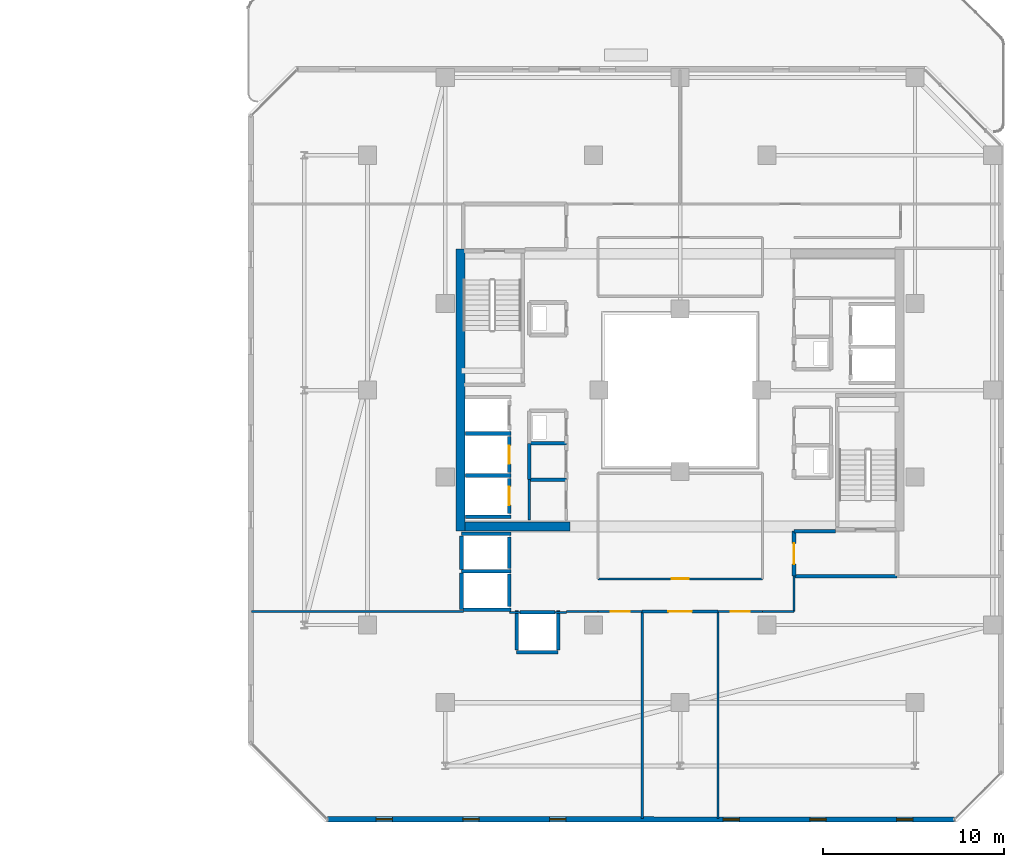
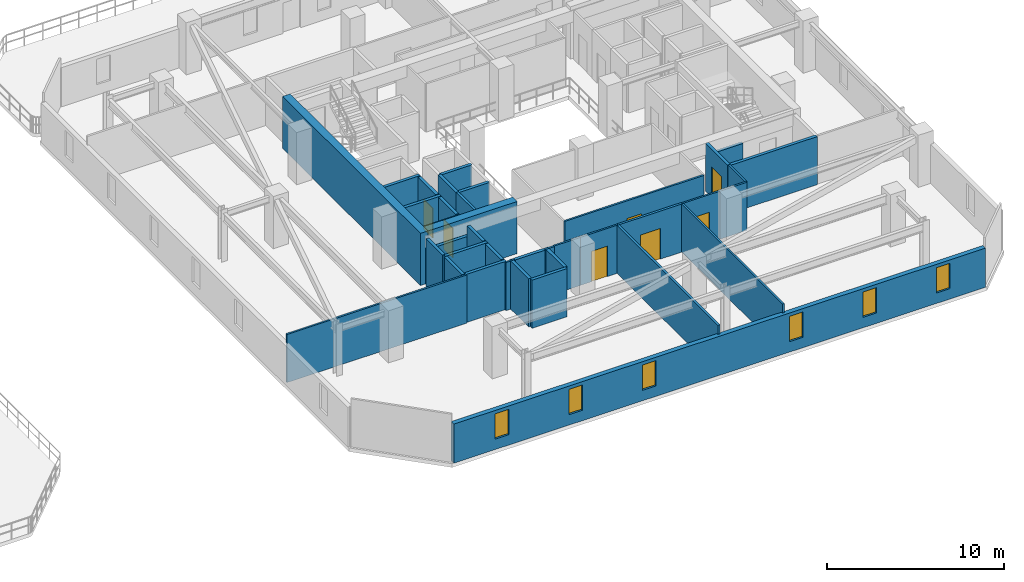
# One storey, part 24 of 32: 38 walls, 7 doors, 6 windows, 13 openings.
"""IFC4 building model written with IfcOpenShell, lengths in metres."""

from ifc_helpers import new_model, si_unit, direction, frame, frame_2d, origin, place, context, subcontext, project, spatial, rectangle, extrude, material, layer, layer_set, type_object, element, fill, save


model = new_model("IFC4")

# Units and contexts
model_context = context("Model", 3, precision=1e-05, world=origin(), true_north=direction((0.0, 1.0)))
body_context = subcontext(model_context, "Body", "Model", "MODEL_VIEW")
ifc_project = project(units=[si_unit("LENGTHUNIT", "METRE"), si_unit("AREAUNIT", "SQUARE_METRE"), si_unit("VOLUMEUNIT", "CUBIC_METRE"), si_unit("PLANEANGLEUNIT", "RADIAN"), si_unit("MASSUNIT", "GRAM", prefix="KILO")], contexts=[model_context])

# Site, building, storey
site_placement = place(None, origin())
site = spatial("IfcSite", under=ifc_project, at=site_placement, CompositionType="ELEMENT")
building_placement = place(site_placement, origin())
building = spatial("IfcBuilding", under=site, at=building_placement, Name="Thornwick Lancets Civic Towers", CompositionType="ELEMENT")
storey_placement = place(building_placement, frame((0.0, 0.0, 200.10009765625)))
storey = spatial("IfcBuildingStorey", under=building, at=storey_placement, Name="L53", CompositionType="ELEMENT", Elevation=200.10009765625)

# Wall, opening, door
ifc_material_1 = material(Name="Concrete blockwork C40/50", Category="masonry")
ifc_layer_1 = layer(ifc_material_1, 0.199951171875, Name="Concrete blockwork C40/50")
ifc_layer_set_1 = layer_set([ifc_layer_1], Name="Concrete blockwork C40/50")
wall_type_1 = type_object("IfcWallType", Name="WALL_COMP_200", PredefinedType="STANDARD", material=ifc_layer_set_1)
wall_1_placement = place(storey_placement, frame((79.050048828125, 22.429931640625, 0.0), z_axis=(0.0, 0.0, 1.0), x_axis=(0.0, 1.0, 0.0)))
wall_1 = element("IfcWall", 1, at=wall_1_placement, inside=storey, type_object=wall_type_1, Name="L53 Hoistway Front Wall PL-BH2", PredefinedType="STANDARD", context=body_context, shape_type="SweptSolid", body=[
    extrude(rectangle(XDim=1.989990234375, YDim=0.199951171875, at=frame_2d((0.9951171875, 0.0))), origin(), (0.0, 0.0, 1.0), 3.31982421875),
])
opening_1_placement = place(wall_1_placement, frame((0.485107421875, 0.0, 0.0)))
opening_1 = element("IfcOpeningElement", 2, at=opening_1_placement, cuts=wall_1, Name="Opening LD-PL-BH2", PredefinedType="OPENING", context=body_context, shape_type="SweptSolid", body=[
    extrude(rectangle(XDim=1.02001953125, YDim=2.06005859375, at=frame_2d((0.510009765625, 1.030029296875))), frame((0.0, 0.10986328125, 0.0), z_axis=(0.0, -1.0, 0.0), x_axis=(1.0, 0.0, 0.0)), (0.0, 0.0, 1.0), 0.219970703125),
])
ifc_material_2 = material(Name="Brushed bronze stainless steel", Category="steel")
door_type_1 = type_object("IfcDoorType", Name="DOOR_LIFT_SLIDE", OperationType="SLIDING_TO_LEFT", PredefinedType="DOOR", material=ifc_material_2)
door_1_placement = place(opening_1_placement, origin())
door_1 = element("IfcDoor", 3, at=door_1_placement, inside=storey, type_object=door_type_1, Name="L53 Sliding Lift Landing Door LD-PL-BH2", OperationType="SLIDING_TO_LEFT", OverallHeight=2.06005859375, OverallWidth=1.02001953125, PredefinedType="DOOR", context=body_context, shape_type="SweptSolid", body=[
    extrude(rectangle(XDim=1.02001953125, YDim=2.06005859375, at=frame_2d((0.510009765625, 1.030029296875))), frame((0.0, 0.02490234375, 0.0), z_axis=(0.0, -1.0, 0.0), x_axis=(1.0, 0.0, 0.0)), (0.0, 0.0, 1.0), 0.050048828125),
])
fill(opening_1, door_1)

wall_2_placement = place(storey_placement, frame((79.050048828125, 20.179931640625, 0.0), z_axis=(0.0, 0.0, 1.0), x_axis=(0.0, 1.0, 0.0)))
wall_2 = element("IfcWall", 4, at=wall_2_placement, inside=storey, type_object=wall_type_1, Name="L53 Hoistway Front Wall PL-BH3", PredefinedType="STANDARD", context=body_context, shape_type="SweptSolid", body=[
    extrude(rectangle(XDim=1.940185546875, YDim=0.199951171875, at=frame_2d((0.97021484375, 0.0))), origin(), (0.0, 0.0, 1.0), 3.31982421875),
])
opening_2_placement = place(wall_2_placement, frame((0.4599609375, 0.0, 0.0)))
opening_2 = element("IfcOpeningElement", 5, at=opening_2_placement, cuts=wall_2, Name="Opening LD-PL-BH3", PredefinedType="OPENING", context=body_context, shape_type="SweptSolid", body=[
    extrude(rectangle(XDim=1.02001953125, YDim=2.06005859375, at=frame_2d((0.510009765625, 1.030029296875))), frame((0.0, 0.10986328125, 0.0), z_axis=(0.0, -1.0, 0.0), x_axis=(1.0, 0.0, 0.0)), (0.0, 0.0, 1.0), 0.219970703125),
])
door_2_placement = place(opening_2_placement, origin())
door_2 = element("IfcDoor", 6, at=door_2_placement, inside=storey, type_object=door_type_1, Name="L53 Sliding Lift Landing Door LD-PL-BH3", OperationType="SLIDING_TO_LEFT", OverallHeight=2.06005859375, OverallWidth=1.02001953125, PredefinedType="DOOR", context=body_context, shape_type="SweptSolid", body=[
    extrude(rectangle(XDim=1.02001953125, YDim=2.06005859375, at=frame_2d((0.510009765625, 1.030029296875))), frame((0.0, 0.02490234375, 0.0), z_axis=(0.0, -1.0, 0.0), x_axis=(1.0, 0.0, 0.0)), (0.0, 0.0, 1.0), 0.050048828125),
])
fill(opening_2, door_2)

# Walls
wall_3_placement = place(storey_placement, frame((79.050048828125, 17.1298828125, 0.0), z_axis=(0.0, 0.0, 1.0), x_axis=(0.0, 1.0, 0.0)))
element("IfcWall", 7, at=wall_3_placement, inside=storey, type_object=wall_type_1, Name="L53 Hoistway Front Wall PL-BM1", PredefinedType="STANDARD", context=body_context, shape_type="SweptSolid", body=[
    extrude(rectangle(XDim=1.740234375, YDim=0.199951171875, at=frame_2d((0.8701171875, 0.0))), origin(), (0.0, 0.0, 1.0), 3.31982421875),
])
wall_4_placement = place(storey_placement, frame((79.050048828125, 15.030029296875, 0.0), z_axis=(0.0, 0.0, 1.0), x_axis=(0.0, 1.0, 0.0)))
element("IfcWall", 8, at=wall_4_placement, inside=storey, type_object=wall_type_1, Name="L53 Hoistway Front Wall PL-BM2", PredefinedType="STANDARD", context=body_context, shape_type="SweptSolid", body=[
    extrude(rectangle(XDim=1.7900390625, YDim=0.199951171875, at=frame_2d((0.89501953125, 0.0))), origin(), (0.0, 0.0, 1.0), 3.31982421875),
])
wall_5_placement = place(storey_placement, frame((79.6298828125, 14.699951171875, 0.0), z_axis=(0.0, 0.0, 1.0), x_axis=(1.0, 0.0, 0.0)))
element("IfcWall", 9, at=wall_5_placement, inside=storey, type_object=wall_type_1, Name="L53 Hoistway Front Wall PL-BM3", PredefinedType="STANDARD", context=body_context, shape_type="SweptSolid", body=[
    extrude(rectangle(XDim=1.940185546875, YDim=0.199951171875, at=frame_2d((0.97021484375, 0.0))), origin(), (0.0, 0.0, 1.0), 3.31982421875),
])
for number, where, z_axis, x_axis, name in (
    (10, (76.612060546875, 24.60009765625, 0.0), (0.0, 0.0, 1.0), (1.0, 0.0, 0.0), "L53 Hoistway Shaft Wall FL-B2 S"),
    (11, (76.612060546875, 22.27490234375, 0.0), (0.0, 0.0, 1.0), (1.0, 0.0, 0.0), "L53 Hoistway Shaft Wall PL-BH2 S"),
    (12, (76.612060546875, 20.0, 0.0), (0.0, 0.0, 1.0), (1.0, 0.0, 0.0), "L53 Hoistway Shaft Wall PL-BH3 S"),
):
    element("IfcWall", number, at=place(storey_placement, frame(where, z_axis=z_axis, x_axis=x_axis)), inside=storey, type_object=wall_type_1, Name=name, PredefinedType="STANDARD", context=body_context, shape_type="SweptSolid", body=[
        extrude(rectangle(XDim=2.535888671875, YDim=0.199951171875, at=frame_2d((1.26806640625, 0.0))), origin(), (0.0, 0.0, 1.0), 3.31982421875),
    ])
wall_6_placement = place(storey_placement, frame((76.402099609375, 19.050048828125, 0.0), z_axis=(0.0, 0.0, 1.0), x_axis=(1.0, 0.0, 0.0)))
element("IfcWall", 13, at=wall_6_placement, inside=storey, type_object=wall_type_1, Name="L53 Hoistway Shaft Wall PL-BM1 N", PredefinedType="STANDARD", context=body_context, shape_type="SweptSolid", body=[
    extrude(rectangle(XDim=2.745849609375, YDim=0.199951171875, at=frame_2d((1.373046875, 0.0))), origin(), (0.0, 0.0, 1.0), 2.52490234375),
])
wall_7_placement = place(storey_placement, frame((76.402099609375, 16.97509765625, 0.0), z_axis=(0.0, 0.0, 1.0), x_axis=(1.0, 0.0, 0.0)))
element("IfcWall", 14, at=wall_7_placement, inside=storey, type_object=wall_type_1, Name="L53 Hoistway Shaft Wall PL-BM1 S", PredefinedType="STANDARD", context=body_context, shape_type="SweptSolid", body=[
    extrude(rectangle(XDim=2.745849609375, YDim=0.199951171875, at=frame_2d((1.373046875, 0.0))), origin(), (0.0, 0.0, 1.0), 3.31982421875),
])
wall_8_placement = place(storey_placement, frame((76.39990234375, 14.85205078125, 0.0), z_axis=(0.0, 0.0, 1.0), x_axis=(0.0, 1.0, 0.0)))
element("IfcWall", 15, at=wall_8_placement, inside=storey, type_object=wall_type_1, Name="L53 Hoistway Shaft Wall PL-BM1 W", PredefinedType="STANDARD", context=body_context, shape_type="SweptSolid", body=[
    extrude(rectangle(XDim=2.015869140625, YDim=0.199951171875, at=frame_2d((1.0078125, 0.0))), origin(), (0.0, 0.0, 1.0), 3.31982421875),
])
wall_9_placement = place(storey_placement, frame((76.39990234375, 17.08203125, 0.0), z_axis=(0.0, 0.0, 1.0), x_axis=(0.0, 1.0, 0.0)))
element("IfcWall", 16, at=wall_9_placement, inside=storey, type_object=wall_type_1, Name="L53 Hoistway Shaft Wall PL-BM1 W", PredefinedType="STANDARD", context=body_context, shape_type="SweptSolid", body=[
    extrude(rectangle(XDim=1.85595703125, YDim=0.199951171875, at=frame_2d((0.927978515625, 0.0))), origin(), (0.0, 0.0, 1.0), 3.31982421875),
])
wall_10_placement = place(storey_placement, frame((76.511962890625, 14.85009765625, 0.0), z_axis=(0.0, 0.0, 1.0), x_axis=(1.0, 0.0, 0.0)))
element("IfcWall", 17, at=wall_10_placement, inside=storey, type_object=wall_type_1, Name="L53 Hoistway Shaft Wall PL-BM2 S", PredefinedType="STANDARD", context=body_context, shape_type="SweptSolid", body=[
    extrude(rectangle(XDim=2.635986328125, YDim=0.199951171875, at=frame_2d((1.31787109375, 0.0))), origin(), (0.0, 0.0, 1.0), 3.31982421875),
])
wall_11_placement = place(storey_placement, frame((79.451904296875, 12.5, 0.0), z_axis=(0.0, 0.0, 1.0), x_axis=(1.0, 0.0, 0.0)))
element("IfcWall", 18, at=wall_11_placement, inside=storey, type_object=wall_type_1, Name="L53 Hoistway Shaft Wall PL-BM3 S", PredefinedType="STANDARD", context=body_context, shape_type="SweptSolid", body=[
    extrude(rectangle(XDim=2.296142578125, YDim=0.199951171875, at=frame_2d((1.14794921875, 0.0))), origin(), (0.0, 0.0, 1.0), 3.31982421875),
])
for number, where, z_axis, x_axis, name in (
    (19, (81.75, 12.612060546875, 0.0), (0.0, 0.0, 1.0), (0.0, 1.0, 0.0), "L53 Hoistway Shaft Wall PL-BM3 E"),
    (20, (79.449951171875, 12.612060546875, 0.0), (0.0, 0.0, 1.0), (0.0, 1.0, 0.0), "L53 Hoistway Shaft Wall PL-BM3 W"),
):
    element("IfcWall", number, at=place(storey_placement, frame(where, z_axis=z_axis, x_axis=x_axis)), inside=storey, type_object=wall_type_1, Name=name, PredefinedType="STANDARD", context=body_context, shape_type="SweptSolid", body=[
        extrude(rectangle(XDim=2.18603515625, YDim=0.199951171875, at=frame_2d((1.093017578125, 0.0))), origin(), (0.0, 0.0, 1.0), 3.31982421875),
    ])
wall_12_placement = place(storey_placement, frame((94.800048828125, 16.699951171875, 0.0), z_axis=(0.0, 0.0, 1.0), x_axis=(1.0, 0.0, 0.0)))
element("IfcWall", 21, at=wall_12_placement, inside=storey, type_object=wall_type_1, Name="L53 Partition L53-B-FFLOB1 E1", PredefinedType="STANDARD", context=body_context, shape_type="SweptSolid", body=[
    extrude(rectangle(XDim=5.699951171875, YDim=0.199951171875, at=frame_2d((2.85009765625, 0.0))), origin(), (0.0, 0.0, 1.0), 3.31982421875),
])
wall_13_placement = place(storey_placement, frame((97.10009765625, 19.199951171875, 0.0), z_axis=(0.0, 0.0, 1.0), x_axis=(-1.0, 0.0, 0.0)))
element("IfcWall", 22, at=wall_13_placement, inside=storey, type_object=wall_type_1, Name="L53 Partition L53-B-FFLOB1 E3", PredefinedType="STANDARD", context=body_context, shape_type="SweptSolid", body=[
    extrude(rectangle(XDim=2.300048828125, YDim=0.199951171875, at=frame_2d((1.14990234375, 0.0))), origin(), (0.0, 0.0, 1.0), 2.52490234375),
])

# Wall, opening, door
wall_14_placement = place(storey_placement, frame((94.800048828125, 19.199951171875, 0.0), z_axis=(0.0, 0.0, 1.0), x_axis=(0.0, -1.0, 0.0)))
wall_14 = element("IfcWall", 23, at=wall_14_placement, inside=storey, type_object=wall_type_1, Name="L53 Partition L53-B-FFLOB1 E4", PredefinedType="STANDARD", context=body_context, shape_type="SweptSolid", body=[
    extrude(rectangle(XDim=2.5, YDim=0.199951171875, at=frame_2d((1.25, 0.0))), origin(), (0.0, 0.0, 1.0), 3.31982421875),
])
opening_3_placement = place(wall_14_placement, frame((0.675048828125, 0.0, 0.0)))
opening_3 = element("IfcOpeningElement", 24, at=opening_3_placement, cuts=wall_14, Name="Opening D-L53-2356", PredefinedType="OPENING", context=body_context, shape_type="SweptSolid", body=[
    extrude(rectangle(XDim=1.14990234375, YDim=2.10009765625, at=frame_2d((0.574951171875, 1.050048828125))), frame((0.0, 0.10986328125, 0.0), z_axis=(0.0, -1.0, 0.0), x_axis=(1.0, 0.0, 0.0)), (0.0, 0.0, 1.0), 0.219970703125),
])
ifc_material_3 = material(Name="Glazed fire-resisting steel", Category="steel")
door_type_2 = type_object("IfcDoorType", Name="DOOR_LOBBY_FD60", OperationType="NOTDEFINED", PredefinedType="DOOR", material=ifc_material_3)
door_3_placement = place(opening_3_placement, origin())
door_3 = element("IfcDoor", 25, at=door_3_placement, inside=storey, type_object=door_type_2, Name="L53 East Firefighting Lobby 1 Door", OperationType="SINGLE_SWING_LEFT", OverallHeight=2.10009765625, OverallWidth=1.14990234375, PredefinedType="DOOR", context=body_context, shape_type="SweptSolid", body=[
    extrude(rectangle(XDim=1.14990234375, YDim=2.10009765625, at=frame_2d((0.574951171875, 1.050048828125))), frame((0.0, 0.02490234375, 0.0), z_axis=(0.0, -1.0, 0.0), x_axis=(1.0, 0.0, 0.0)), (0.0, 0.0, 1.0), 0.050048828125),
])
fill(opening_3, door_3)

# Walls
wall_15_placement = place(storey_placement, frame((80.14990234375, 24.050048828125, 0.0), z_axis=(0.0, 0.0, 1.0), x_axis=(1.0, 0.0, 0.0)))
element("IfcWall", 26, at=wall_15_placement, inside=storey, type_object=wall_type_1, Name="L53 Partition L53-B-DUCT2 E1", PredefinedType="STANDARD", context=body_context, shape_type="SweptSolid", body=[
    extrude(rectangle(XDim=2.050048828125, YDim=0.199951171875, at=frame_2d((1.02490234375, 0.0))), origin(), (0.0, 0.0, 1.0), 3.31982421875),
])
wall_16_placement = place(storey_placement, frame((80.14990234375, 22.050048828125, 0.0), z_axis=(0.0, 0.0, 1.0), x_axis=(0.0, 1.0, 0.0)))
element("IfcWall", 27, at=wall_16_placement, inside=storey, type_object=wall_type_1, Name="L53 Partition L53-B-STR E1", PredefinedType="STANDARD", context=body_context, shape_type="SweptSolid", body=[
    extrude(rectangle(XDim=2.0, YDim=0.199951171875, at=frame_2d((1.0, 0.0))), origin(), (0.0, 0.0, 1.0), 3.31982421875),
])
wall_17_placement = place(storey_placement, frame((82.199951171875, 22.050048828125, 0.0), z_axis=(0.0, 0.0, 1.0), x_axis=(-1.0, 0.0, 0.0)))
element("IfcWall", 28, at=wall_17_placement, inside=storey, type_object=wall_type_1, Name="L53 Partition L53-B-STR E4", PredefinedType="STANDARD", context=body_context, shape_type="SweptSolid", body=[
    extrude(rectangle(XDim=2.050048828125, YDim=0.199951171875, at=frame_2d((1.02490234375, 0.0))), origin(), (0.0, 0.0, 1.0), 3.31982421875),
])
ifc_material_4 = material(Name="Concrete C50/60", Category="concrete")
ifc_layer_2 = layer(ifc_material_4, 0.5, Name="Concrete C50/60")
ifc_layer_set_2 = layer_set([ifc_layer_2], Name="Concrete C50/60")
wall_type_2 = type_object("IfcWallType", Name="WALL_CORE_500", PredefinedType="SHEAR", material=ifc_layer_set_2)
wall_18_placement = place(storey_placement, frame((76.35009765625, 19.199951171875, 0.0), z_axis=(0.0, 0.0, 1.0), x_axis=(0.0, 1.0, 0.0)))
element("IfcWall", 29, at=wall_18_placement, inside=storey, type_object=wall_type_2, Name="L53 Split Core B2 Shear Wall W", PredefinedType="SHEAR", context=body_context, shape_type="SweptSolid", body=[
    extrude(rectangle(XDim=15.60009765625, YDim=0.5, at=frame_2d((7.800048828125, 0.0))), origin(), (0.0, 0.0, 1.0), 3.599853515625),
])
wall_19_placement = place(storey_placement, frame((76.60009765625, 19.449951171875, 0.0), z_axis=(0.0, 0.0, 1.0), x_axis=(1.0, 0.0, 0.0)))
element("IfcWall", 30, at=wall_19_placement, inside=storey, type_object=wall_type_2, Name="L53 Split Core B2 Shear Wall S", PredefinedType="SHEAR", context=body_context, shape_type="SweptSolid", body=[
    extrude(rectangle(XDim=5.7998046875, YDim=0.5, at=frame_2d((2.89990234375, 0.0))), origin(), (0.0, 0.0, 1.0), 3.599853515625),
])

# Wall, openings, windows
ifc_material_5 = material(Name="Insulated russet terracotta rainscreen on concrete C40/50", Category="masonry")
ifc_layer_3 = layer(ifc_material_5, 0.300048828125, Name="Insulated russet terracotta rainscreen on concrete C40/50")
ifc_layer_set_3 = layer_set([ifc_layer_3], Name="Insulated russet terracotta rainscreen on concrete C40/50")
wall_type_3 = type_object("IfcWallType", Name="WALL_EXT_RUSSET_300", PredefinedType="STANDARD", material=ifc_layer_set_3)
wall_20_placement = place(storey_placement, frame((68.97412109375, 3.24072265625, 0.0), z_axis=(0.0, 0.0, 1.0), x_axis=(0.999999988026, -0.000154754115, 0.0)))
wall_20 = element("IfcWall", 31, at=wall_20_placement, inside=storey, type_object=wall_type_3, Name="L53 Tower B Terracotta Facade Wall E0", PredefinedType="STANDARD", context=body_context, shape_type="SweptSolid", body=[
    extrude(rectangle(XDim=34.707275390625, YDim=0.300048828125, at=frame_2d((17.353515625, 0.0))), origin(), (0.0, 0.0, 1.0), 2.699951171875),
])
opening_4_placement = place(wall_20_placement, frame((2.699951171875, 0.0, 0.719970703125)))
opening_4 = element("IfcOpeningElement", 32, at=opening_4_placement, cuts=wall_20, Name="Opening WL-01", PredefinedType="OPENING", context=body_context, shape_type="SweptSolid", body=[
    extrude(rectangle(XDim=0.89990234375, YDim=1.75, at=frame_2d((0.449951171875, 0.875))), frame((0.0, 0.16015625, 0.0), z_axis=(0.0, -1.0, 0.0), x_axis=(1.0, 0.0, 0.0)), (0.0, 0.0, 1.0), 0.320068359375),
])
opening_5_placement = place(wall_20_placement, frame((7.5, 0.0, 0.719970703125)))
opening_5 = element("IfcOpeningElement", 33, at=opening_5_placement, cuts=wall_20, Name="Opening WL-01", PredefinedType="OPENING", context=body_context, shape_type="SweptSolid", body=[
    extrude(rectangle(XDim=0.89990234375, YDim=1.75, at=frame_2d((0.449951171875, 0.875))), frame((0.0, 0.16015625, 0.0), z_axis=(0.0, -1.0, 0.0), x_axis=(1.0, 0.0, 0.0)), (0.0, 0.0, 1.0), 0.320068359375),
])
opening_6_placement = place(wall_20_placement, frame((12.300048828125, 0.0, 0.719970703125)))
opening_6 = element("IfcOpeningElement", 34, at=opening_6_placement, cuts=wall_20, Name="Opening WL-01", PredefinedType="OPENING", context=body_context, shape_type="SweptSolid", body=[
    extrude(rectangle(XDim=0.89990234375, YDim=1.75, at=frame_2d((0.449951171875, 0.875))), frame((0.0, 0.16015625, 0.0), z_axis=(0.0, -1.0, 0.0), x_axis=(1.0, 0.0, 0.0)), (0.0, 0.0, 1.0), 0.320068359375),
])
opening_7_placement = place(wall_20_placement, frame((21.89990234375, 0.0, 0.719970703125)))
opening_7 = element("IfcOpeningElement", 35, at=opening_7_placement, cuts=wall_20, Name="Opening WL-01", PredefinedType="OPENING", context=body_context, shape_type="SweptSolid", body=[
    extrude(rectangle(XDim=0.89990234375, YDim=1.75, at=frame_2d((0.449951171875, 0.875))), frame((0.0, 0.16015625, 0.0), z_axis=(0.0, -1.0, 0.0), x_axis=(1.0, 0.0, 0.0)), (0.0, 0.0, 1.0), 0.320068359375),
])
opening_8_placement = place(wall_20_placement, frame((26.699951171875, 0.0, 0.719970703125)))
opening_8 = element("IfcOpeningElement", 36, at=opening_8_placement, cuts=wall_20, Name="Opening WL-01", PredefinedType="OPENING", context=body_context, shape_type="SweptSolid", body=[
    extrude(rectangle(XDim=0.89990234375, YDim=1.75, at=frame_2d((0.449951171875, 0.875))), frame((0.0, 0.16015625, 0.0), z_axis=(0.0, -1.0, 0.0), x_axis=(1.0, 0.0, 0.0)), (0.0, 0.0, 1.0), 0.320068359375),
])
opening_9_placement = place(wall_20_placement, frame((31.5, 0.0, 0.719970703125)))
opening_9 = element("IfcOpeningElement", 37, at=opening_9_placement, cuts=wall_20, Name="Opening WL-01", PredefinedType="OPENING", context=body_context, shape_type="SweptSolid", body=[
    extrude(rectangle(XDim=0.89990234375, YDim=1.75, at=frame_2d((0.449951171875, 0.875))), frame((0.0, 0.16015625, 0.0), z_axis=(0.0, -1.0, 0.0), x_axis=(1.0, 0.0, 0.0)), (0.0, 0.0, 1.0), 0.320068359375),
])
ifc_material_6 = material(Name="Clear low-e double glazing in bronze frame", Category="glass")
window_type = type_object("IfcWindowType", Name="WIN_LANCET_900", PartitioningType="SINGLE_PANEL", PredefinedType="WINDOW", material=ifc_material_6)
window_1_placement = place(opening_4_placement, origin())
window_1 = element("IfcWindow", 38, at=window_1_placement, inside=storey, type_object=window_type, Name="L53 Tower B Staggered Lancet Window E0-1", OverallHeight=1.75, OverallWidth=0.89990234375, PartitioningType="SINGLE_PANEL", PredefinedType="WINDOW", context=body_context, shape_type="SweptSolid", body=[
    extrude(rectangle(XDim=0.89990234375, YDim=1.75, at=frame_2d((0.449951171875, 0.875))), frame((0.0, 0.030029296875, 0.0), z_axis=(0.0, -1.0, 0.0), x_axis=(1.0, 0.0, 0.0)), (0.0, 0.0, 1.0), 0.06005859375),
])
fill(opening_4, window_1)
window_2_placement = place(opening_5_placement, origin())
window_2 = element("IfcWindow", 39, at=window_2_placement, inside=storey, type_object=window_type, Name="L53 Tower B Staggered Lancet Window E0-2", OverallHeight=1.75, OverallWidth=0.89990234375, PartitioningType="SINGLE_PANEL", PredefinedType="WINDOW", context=body_context, shape_type="SweptSolid", body=[
    extrude(rectangle(XDim=0.89990234375, YDim=1.75, at=frame_2d((0.449951171875, 0.875))), frame((0.0, 0.030029296875, 0.0), z_axis=(0.0, -1.0, 0.0), x_axis=(1.0, 0.0, 0.0)), (0.0, 0.0, 1.0), 0.06005859375),
])
fill(opening_5, window_2)
window_3_placement = place(opening_6_placement, origin())
window_3 = element("IfcWindow", 40, at=window_3_placement, inside=storey, type_object=window_type, Name="L53 Tower B Staggered Lancet Window E0-3", OverallHeight=1.75, OverallWidth=0.89990234375, PartitioningType="SINGLE_PANEL", PredefinedType="WINDOW", context=body_context, shape_type="SweptSolid", body=[
    extrude(rectangle(XDim=0.89990234375, YDim=1.75, at=frame_2d((0.449951171875, 0.875))), frame((0.0, 0.030029296875, 0.0), z_axis=(0.0, -1.0, 0.0), x_axis=(1.0, 0.0, 0.0)), (0.0, 0.0, 1.0), 0.06005859375),
])
fill(opening_6, window_3)
window_4_placement = place(opening_7_placement, origin())
window_4 = element("IfcWindow", 41, at=window_4_placement, inside=storey, type_object=window_type, Name="L53 Tower B Staggered Lancet Window E0-4", OverallHeight=1.75, OverallWidth=0.89990234375, PartitioningType="SINGLE_PANEL", PredefinedType="WINDOW", context=body_context, shape_type="SweptSolid", body=[
    extrude(rectangle(XDim=0.89990234375, YDim=1.75, at=frame_2d((0.449951171875, 0.875))), frame((0.0, 0.030029296875, 0.0), z_axis=(0.0, -1.0, 0.0), x_axis=(1.0, 0.0, 0.0)), (0.0, 0.0, 1.0), 0.06005859375),
])
fill(opening_7, window_4)
window_5_placement = place(opening_8_placement, origin())
window_5 = element("IfcWindow", 42, at=window_5_placement, inside=storey, type_object=window_type, Name="L53 Tower B Staggered Lancet Window E0-5", OverallHeight=1.75, OverallWidth=0.89990234375, PartitioningType="SINGLE_PANEL", PredefinedType="WINDOW", context=body_context, shape_type="SweptSolid", body=[
    extrude(rectangle(XDim=0.89990234375, YDim=1.75, at=frame_2d((0.449951171875, 0.875))), frame((0.0, 0.030029296875, 0.0), z_axis=(0.0, -1.0, 0.0), x_axis=(1.0, 0.0, 0.0)), (0.0, 0.0, 1.0), 0.06005859375),
])
fill(opening_8, window_5)
window_6_placement = place(opening_9_placement, origin())
window_6 = element("IfcWindow", 43, at=window_6_placement, inside=storey, type_object=window_type, Name="L53 Tower B Staggered Lancet Window E0-6", OverallHeight=1.75, OverallWidth=0.89990234375, PartitioningType="SINGLE_PANEL", PredefinedType="WINDOW", context=body_context, shape_type="SweptSolid", body=[
    extrude(rectangle(XDim=0.89990234375, YDim=1.75, at=frame_2d((0.449951171875, 0.875))), frame((0.0, 0.030029296875, 0.0), z_axis=(0.0, -1.0, 0.0), x_axis=(1.0, 0.0, 0.0)), (0.0, 0.0, 1.0), 0.06005859375),
])
fill(opening_9, window_6)

# Wall
ifc_material_7 = material(Name="Acoustic gypsum board partition")
ifc_layer_4 = layer(ifc_material_7, 0.1201171875, Name="Acoustic gypsum board partition")
ifc_layer_set_4 = layer_set([ifc_layer_4], Name="Acoustic gypsum board partition")
wall_type_4 = type_object("IfcWallType", Name="WALL_PART_120", PredefinedType="PARTITIONING", material=ifc_layer_set_4)
wall_21_placement = place(storey_placement, frame((90.60009765625, 3.280029296875, 0.0), z_axis=(0.0, 0.0, 1.0), x_axis=(0.0, 1.0, 0.0)))
element("IfcWall", 44, at=wall_21_placement, inside=storey, type_object=wall_type_4, Name="L53 Partition L53-B-W1 E2", PredefinedType="PARTITIONING", context=body_context, shape_type="SweptSolid", body=[
    extrude(rectangle(XDim=11.469970703125, YDim=0.1201171875, at=frame_2d((5.73486328125, 0.0))), origin(), (0.0, 0.0, 1.0), 3.31982421875),
])

# Wall, opening, door
wall_22_placement = place(storey_placement, frame((90.60009765625, 14.75, 0.0), z_axis=(0.0, 0.0, 1.0), x_axis=(1.0, 0.0, 0.0)))
wall_22 = element("IfcWall", 45, at=wall_22_placement, inside=storey, type_object=wall_type_4, Name="L53 Partition L53-B-W1 E3", PredefinedType="PARTITIONING", context=body_context, shape_type="SweptSolid", body=[
    extrude(rectangle(XDim=2.449951171875, YDim=0.1201171875, at=frame_2d((1.22509765625, 0.0))), origin(), (0.0, 0.0, 1.0), 3.31982421875),
])
opening_10_placement = place(wall_22_placement, frame((0.699951171875, 0.0, 0.0)))
opening_10 = element("IfcOpeningElement", 46, at=opening_10_placement, cuts=wall_22, Name="Opening D-L53-2376", PredefinedType="OPENING", context=body_context, shape_type="SweptSolid", body=[
    extrude(rectangle(XDim=1.050048828125, YDim=2.10009765625, at=frame_2d((0.52490234375, 1.050048828125))), frame((0.0, 0.070068359375, 0.0), z_axis=(0.0, -1.0, 0.0), x_axis=(1.0, 0.0, 0.0)), (0.0, 0.0, 1.0), 0.14013671875),
])
ifc_material_8 = material(Name="Glazed European oak executive doorset")
door_type_3 = type_object("IfcDoorType", Name="DOOR_OFFICE_1050", OperationType="NOTDEFINED", PredefinedType="DOOR", material=ifc_material_8)
door_4_placement = place(opening_10_placement, origin())
door_4 = element("IfcDoor", 47, at=door_4_placement, inside=storey, type_object=door_type_3, Name="L53 Tower B Ministry Directorate Office W1 Door", OperationType="SINGLE_SWING_LEFT", OverallHeight=2.10009765625, OverallWidth=1.050048828125, PredefinedType="DOOR", context=body_context, shape_type="SweptSolid", body=[
    extrude(rectangle(XDim=1.050048828125, YDim=2.10009765625, at=frame_2d((0.52490234375, 1.050048828125))), frame((0.0, 0.02490234375, 0.0), z_axis=(0.0, -1.0, 0.0), x_axis=(1.0, 0.0, 0.0)), (0.0, 0.0, 1.0), 0.050048828125),
])
fill(opening_10, door_4)

# Walls
wall_23_placement = place(storey_placement, frame((93.050048828125, 14.75, 0.0), z_axis=(0.0, 0.0, 1.0), x_axis=(1.0, 0.0, 0.0)))
element("IfcWall", 48, at=wall_23_placement, inside=storey, type_object=wall_type_4, Name="L53 Partition L53-B-W1 E4", PredefinedType="PARTITIONING", context=body_context, shape_type="SweptSolid", body=[
    extrude(rectangle(XDim=1.75, YDim=0.1201171875, at=frame_2d((0.875, 0.0))), origin(), (0.0, 0.0, 1.0), 3.31982421875),
])
wall_24_placement = place(storey_placement, frame((94.800048828125, 14.75, 0.0), z_axis=(0.0, 0.0, 1.0), x_axis=(0.0, 1.0, 0.0)))
element("IfcWall", 49, at=wall_24_placement, inside=storey, type_object=wall_type_4, Name="L53 Partition L53-B-W1 E5", PredefinedType="PARTITIONING", context=body_context, shape_type="SweptSolid", body=[
    extrude(rectangle(XDim=1.949951171875, YDim=0.1201171875, at=frame_2d((0.97509765625, 0.0))), origin(), (0.0, 0.0, 1.0), 3.31982421875),
])
wall_25_placement = place(storey_placement, frame((64.780029296875, 14.75, 0.0), z_axis=(0.0, 0.0, 1.0), x_axis=(1.0, 0.0, 0.0)))
element("IfcWall", 50, at=wall_25_placement, inside=storey, type_object=wall_type_4, Name="L53 Partition L53-B-W2B E4", PredefinedType="PARTITIONING", context=body_context, shape_type="SweptSolid", body=[
    extrude(rectangle(XDim=11.73193359375, YDim=0.1201171875, at=frame_2d((5.865966796875, 0.0))), origin(), (0.0, 0.0, 1.0), 3.31982421875),
])
wall_26_placement = place(storey_placement, frame((79.050048828125, 14.699951171875, 0.0), z_axis=(0.0, 0.0, 1.0), x_axis=(1.0, 0.0, 0.0)))
element("IfcWall", 51, at=wall_26_placement, inside=storey, type_object=wall_type_4, Name="L53 Partition L53-B-W2B E6", PredefinedType="PARTITIONING", context=body_context, shape_type="SweptSolid", body=[
    extrude(rectangle(XDim=0.579833984375, YDim=0.1201171875, at=frame_2d((0.2900390625, 0.0))), origin(), (0.0, 0.0, 1.0), 3.31982421875),
])
wall_27_placement = place(storey_placement, frame((81.570068359375, 14.699951171875, 0.0), z_axis=(0.0, 0.0, 1.0), x_axis=(1.0, 0.0, 0.0)))
element("IfcWall", 52, at=wall_27_placement, inside=storey, type_object=wall_type_4, Name="L53 Partition L53-B-W2B E6", PredefinedType="PARTITIONING", context=body_context, shape_type="SweptSolid", body=[
    extrude(rectangle(XDim=0.6298828125, YDim=0.1201171875, at=frame_2d((0.31494140625, 0.0))), origin(), (0.0, 0.0, 1.0), 3.31982421875),
])
wall_28_placement = place(storey_placement, frame((82.199951171875, 14.75, 0.0), z_axis=(0.0, 0.0, 1.0), x_axis=(1.0, 0.0, 0.0)))
element("IfcWall", 53, at=wall_28_placement, inside=storey, type_object=wall_type_4, Name="L53 Partition L53-B-W2B E8", PredefinedType="PARTITIONING", context=body_context, shape_type="SweptSolid", body=[
    extrude(rectangle(XDim=1.75, YDim=0.1201171875, at=frame_2d((0.875, 0.0))), origin(), (0.0, 0.0, 1.0), 3.31982421875),
])

# Wall, opening, door
wall_29_placement = place(storey_placement, frame((83.949951171875, 14.75, 0.0), z_axis=(0.0, 0.0, 1.0), x_axis=(1.0, 0.0, 0.0)))
wall_29 = element("IfcWall", 54, at=wall_29_placement, inside=storey, type_object=wall_type_4, Name="L53 Partition L53-B-W2B E9", PredefinedType="PARTITIONING", context=body_context, shape_type="SweptSolid", body=[
    extrude(rectangle(XDim=2.449951171875, YDim=0.1201171875, at=frame_2d((1.22509765625, 0.0))), origin(), (0.0, 0.0, 1.0), 3.31982421875),
])
opening_11_placement = place(wall_29_placement, frame((0.699951171875, 0.0, 0.0)))
opening_11 = element("IfcOpeningElement", 55, at=opening_11_placement, cuts=wall_29, Name="Opening D-L53-2378", PredefinedType="OPENING", context=body_context, shape_type="SweptSolid", body=[
    extrude(rectangle(XDim=1.050048828125, YDim=2.10009765625, at=frame_2d((0.52490234375, 1.050048828125))), frame((0.0, 0.070068359375, 0.0), z_axis=(0.0, -1.0, 0.0), x_axis=(1.0, 0.0, 0.0)), (0.0, 0.0, 1.0), 0.14013671875),
])
door_5_placement = place(opening_11_placement, origin())
door_5 = element("IfcDoor", 56, at=door_5_placement, inside=storey, type_object=door_type_3, Name="L53 Tower B Parliamentary Casework Suite W2B Door", OperationType="SINGLE_SWING_LEFT", OverallHeight=2.10009765625, OverallWidth=1.050048828125, PredefinedType="DOOR", context=body_context, shape_type="SweptSolid", body=[
    extrude(rectangle(XDim=1.050048828125, YDim=2.10009765625, at=frame_2d((0.52490234375, 1.050048828125))), frame((0.0, 0.02490234375, 0.0), z_axis=(0.0, -1.0, 0.0), x_axis=(1.0, 0.0, 0.0)), (0.0, 0.0, 1.0), 0.050048828125),
])
fill(opening_11, door_5)

wall_30_placement = place(storey_placement, frame((93.050048828125, 16.550048828125, 0.0), z_axis=(0.0, 0.0, 1.0), x_axis=(-1.0, 0.0, 0.0)))
wall_30 = element("IfcWall", 57, at=wall_30_placement, inside=storey, type_object=wall_type_4, Name="L53 Partition L53-B-W3 E4", PredefinedType="PARTITIONING", context=body_context, shape_type="SweptSolid", body=[
    extrude(rectangle(XDim=9.10009765625, YDim=0.1201171875, at=frame_2d((4.550048828125, 0.0))), origin(), (0.0, 0.0, 1.0), 3.31982421875),
])
opening_12_placement = place(wall_30_placement, frame((4.074951171875, 0.0, 0.0)))
opening_12 = element("IfcOpeningElement", 58, at=opening_12_placement, cuts=wall_30, Name="Opening D-L53-2379", PredefinedType="OPENING", context=body_context, shape_type="SweptSolid", body=[
    extrude(rectangle(XDim=0.949951171875, YDim=2.10009765625, at=frame_2d((0.47509765625, 1.050048828125))), frame((0.0, 0.070068359375, 0.0), z_axis=(0.0, -1.0, 0.0), x_axis=(1.0, 0.0, 0.0)), (0.0, 0.0, 1.0), 0.14013671875),
])
ifc_material_9 = material(Name="European oak acoustic doorset")
door_type_4 = type_object("IfcDoorType", Name="DOOR_OFFICE_950", OperationType="NOTDEFINED", PredefinedType="DOOR", material=ifc_material_9)
door_6_placement = place(opening_12_placement, origin())
door_6 = element("IfcDoor", 59, at=door_6_placement, inside=storey, type_object=door_type_4, Name="L53 Tower B West Atrium Gallery Suite Door", OperationType="SINGLE_SWING_RIGHT", OverallHeight=2.10009765625, OverallWidth=0.949951171875, PredefinedType="DOOR", context=body_context, shape_type="SweptSolid", body=[
    extrude(rectangle(XDim=0.949951171875, YDim=2.10009765625, at=frame_2d((0.47509765625, 1.050048828125))), frame((0.0, 0.02490234375, 0.0), z_axis=(0.0, -1.0, 0.0), x_axis=(1.0, 0.0, 0.0)), (0.0, 0.0, 1.0), 0.050048828125),
])
fill(opening_12, door_6)

# Walls
ifc_material_10 = material(Name="Twin-stud acoustic gypsum board")
ifc_layer_5 = layer(ifc_material_10, 0.14990234375, Name="Twin-stud acoustic gypsum board")
ifc_layer_set_5 = layer_set([ifc_layer_5], Name="Twin-stud acoustic gypsum board")
wall_type_5 = type_object("IfcWallType", Name="WALL_PART_150", PredefinedType="PARTITIONING", material=ifc_layer_set_5)
wall_31_placement = place(storey_placement, frame((80.14990234375, 22.050048828125, 0.0), z_axis=(0.0, 0.0, 1.0), x_axis=(0.0, -1.0, 0.0)))
element("IfcWall", 60, at=wall_31_placement, inside=storey, type_object=wall_type_5, Name="L53 Partition L53-B-AWC E4", PredefinedType="PARTITIONING", context=body_context, shape_type="SweptSolid", body=[
    extrude(rectangle(XDim=2.25, YDim=0.14990234375, at=frame_2d((1.125, 0.0))), origin(), (0.0, 0.0, 1.0), 3.31982421875),
])
wall_32_placement = place(storey_placement, frame((86.39990234375, 3.280029296875, 0.0), z_axis=(0.0, 0.0, 1.0), x_axis=(0.0, 1.0, 0.0)))
element("IfcWall", 61, at=wall_32_placement, inside=storey, type_object=wall_type_5, Name="L53 Partition L53-B-W2 E3", PredefinedType="PARTITIONING", context=body_context, shape_type="SweptSolid", body=[
    extrude(rectangle(XDim=11.469970703125, YDim=0.14990234375, at=frame_2d((5.73486328125, 0.0))), origin(), (0.0, 0.0, 1.0), 3.31982421875),
])

# Wall, opening, door
wall_33_placement = place(storey_placement, frame((86.39990234375, 14.75, 0.0), z_axis=(0.0, 0.0, 1.0), x_axis=(1.0, 0.0, 0.0)))
wall_33 = element("IfcWall", 62, at=wall_33_placement, inside=storey, type_object=wall_type_5, Name="L53 Partition L53-B-W2 E4", PredefinedType="PARTITIONING", context=body_context, shape_type="SweptSolid", body=[
    extrude(rectangle(XDim=4.2001953125, YDim=0.14990234375, at=frame_2d((2.10009765625, 0.0))), origin(), (0.0, 0.0, 1.0), 3.31982421875),
])
opening_13_placement = place(wall_33_placement, frame((1.449951171875, 0.0, 0.0)))
opening_13 = element("IfcOpeningElement", 63, at=opening_13_placement, cuts=wall_33, Name="Opening D-L53-2377", PredefinedType="OPENING", context=body_context, shape_type="SweptSolid", body=[
    extrude(rectangle(XDim=1.300048828125, YDim=2.1201171875, at=frame_2d((0.64990234375, 1.06005859375))), frame((0.0, 0.0849609375, 0.0), z_axis=(0.0, -1.0, 0.0), x_axis=(1.0, 0.0, 0.0)), (0.0, 0.0, 1.0), 0.169921875),
])
ifc_material_11 = material(Name="Acoustic oak leaf-and-a-half doorset")
door_type_5 = type_object("IfcDoorType", Name="DOOR_MEET_1300", OperationType="DOUBLE_DOOR_SINGLE_SWING", PredefinedType="DOOR", material=ifc_material_11)
door_7_placement = place(opening_13_placement, origin())
door_7 = element("IfcDoor", 64, at=door_7_placement, inside=storey, type_object=door_type_5, Name="L53 Tower B Policy Briefing Room W2 Door", OperationType="DOUBLE_DOOR_SINGLE_SWING", OverallHeight=2.1201171875, OverallWidth=1.300048828125, PredefinedType="DOOR", context=body_context, shape_type="SweptSolid", body=[
    extrude(rectangle(XDim=1.300048828125, YDim=2.1201171875, at=frame_2d((0.64990234375, 1.06005859375))), frame((0.0, 0.02490234375, 0.0), z_axis=(0.0, -1.0, 0.0), x_axis=(1.0, 0.0, 0.0)), (0.0, 0.0, 1.0), 0.050048828125),
])
fill(opening_13, door_7)

save(model, "model.ifc")
